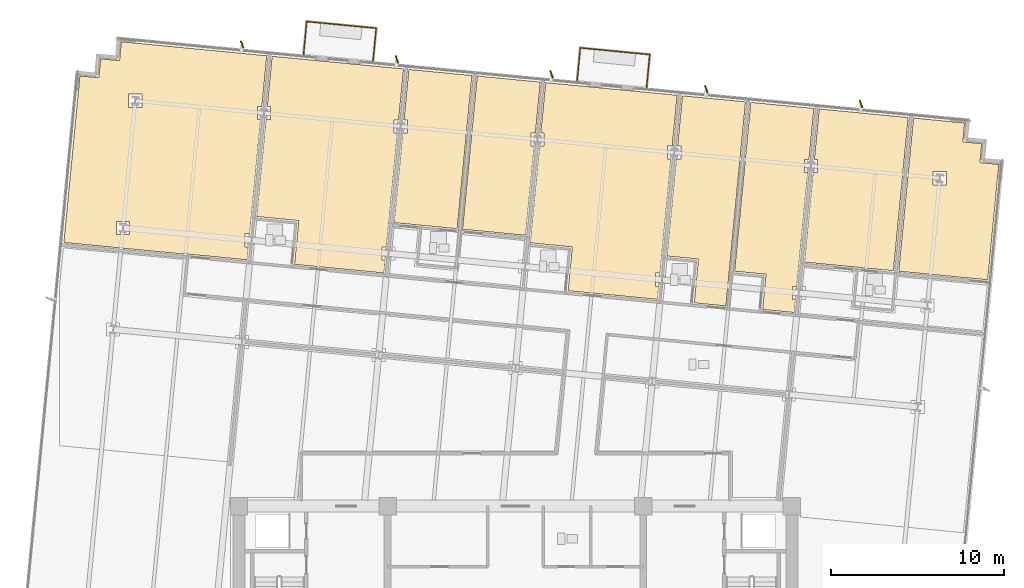
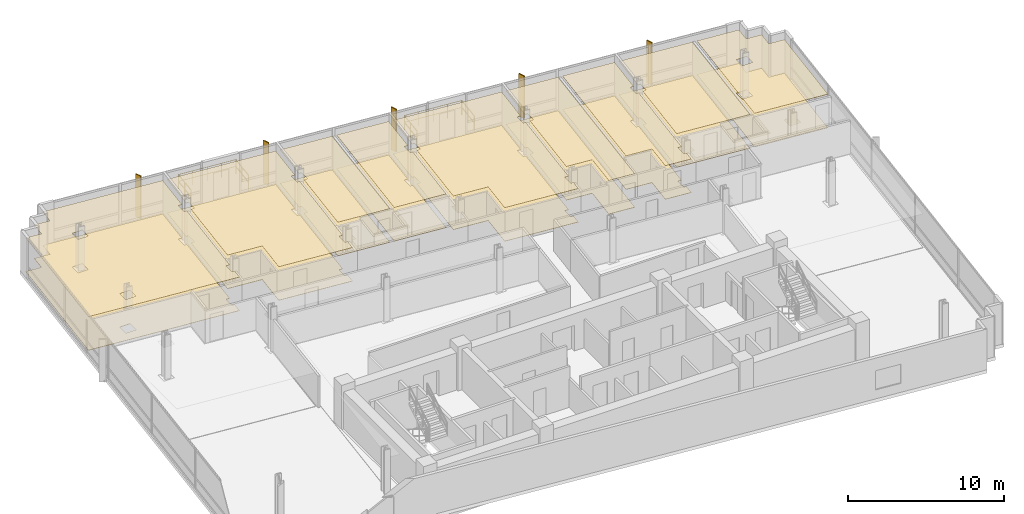
# One storey, part 16 of 17: 18 coverings, 6 railings, 5 shading devices.
"""IFC4 building model written with IfcOpenShell, lengths in metres."""

from ifc_helpers import new_model, si_unit, direction, frame, origin, origin_2d, place, context, subcontext, project, spatial, polyline, rectangle, circle, outline, extrude, material, layer, layer_set, type_object, element, save


model = new_model("IFC4")

# Units and contexts
model_context = context("Model", 3, precision=1e-05, world=origin(), true_north=direction((0.0, 1.0)))
body_context = subcontext(model_context, "Body", "Model", "MODEL_VIEW")
ifc_project = project(units=[si_unit("LENGTHUNIT", "METRE"), si_unit("AREAUNIT", "SQUARE_METRE"), si_unit("VOLUMEUNIT", "CUBIC_METRE"), si_unit("PLANEANGLEUNIT", "RADIAN"), si_unit("MASSUNIT", "GRAM", prefix="KILO")], contexts=[model_context])

# Site, building, storey
site_placement = place(None, origin())
site = spatial("IfcSite", under=ifc_project, at=site_placement, CompositionType="ELEMENT")
building_placement = place(site_placement, origin())
building = spatial("IfcBuilding", under=site, at=building_placement, Name="Solmavex Isthmus Hotel", CompositionType="ELEMENT")
storey_placement = place(building_placement, frame((0.0, 0.0, 142.800048828125)))
storey = spatial("IfcBuildingStorey", under=building, at=storey_placement, Name="L38", CompositionType="ELEMENT", Elevation=142.800048828125)

# Coverings
ifc_material_1 = material(Name="Gypsum plasterboard lining", Category="gypsum")
ifc_layer_1 = layer(ifc_material_1, 0.030029296875)
ifc_layer_set_1 = layer_set([ifc_layer_1], Name="Gypsum plasterboard lining")
covering_type_1 = type_object("IfcCoveringType", Name="COV-CEIL-GYP", PredefinedType="CEILING", material=ifc_layer_set_1)
covering_1_placement = place(storey_placement, frame((0.0, 0.0, 2.619873046875)))
element("IfcCovering", 1, at=covering_1_placement, inside=storey, type_object=covering_type_1, Name="Suspended Acoustic Ceiling L38-RM01", PredefinedType="CEILING", context=body_context, shape_type="SweptSolid", body=[
    extrude(outline(polyline([(-19.121337890625, 12.088623046875), (-19.119384765625, 12.1083984375), (-15.535888671875, 11.763427734375), (-15.463623046875, 12.51611328125), (-15.651123046875, 12.51611328125), (-15.651123046875, 13.276123046875), (-15.390380859375, 13.276123046875), (-14.755126953125, 19.874267578125), (-14.942626953125, 19.874267578125), (-14.942626953125, 20.63427734375), (-14.681884765625, 20.63427734375), (-14.3984375, 23.578857421875), (-21.99609375, 24.310302734375), (-22.8173828125, 24.389404296875), (-22.9228515625, 23.29443359375), (-24.017822265625, 23.39990234375), (-24.123291015625, 22.304931640625), (-25.218017578125, 22.410400390625), (-25.297119140625, 21.589111328125), (-26.14697265625, 12.764892578125), (-19.121337890625, 12.088623046875)]), holes=[polyline([(-22.396240234375, 20.591796875), (-22.396240234375, 21.351806640625), (-21.63623046875, 21.351806640625), (-21.63623046875, 20.591796875), (-22.396240234375, 20.591796875)]), polyline([(-23.104736328125, 13.23388671875), (-23.104736328125, 13.993896484375), (-22.3447265625, 13.993896484375), (-22.3447265625, 13.23388671875), (-23.104736328125, 13.23388671875)])]), origin(), (0.0, 0.0, 1.0), 0.030029296875),
])
covering_2_placement = place(storey_placement, frame((0.0, 0.0, 2.619873046875)))
element("IfcCovering", 2, at=covering_2_placement, inside=storey, type_object=covering_type_1, Name="Suspended Acoustic Ceiling L38-RM02", PredefinedType="CEILING", context=body_context, shape_type="SweptSolid", body=[
    extrude(outline(polyline([(-14.370361328125, 20.63427734375), (-14.1826171875, 20.63427734375), (-14.1826171875, 19.874267578125), (-14.443603515625, 19.874267578125), (-14.98291015625, 14.27197265625), (-12.544189453125, 14.037109375), (-12.788818359375, 11.498779296875), (-7.61669921875, 11.000732421875), (-7.544189453125, 11.753662109375), (-7.73193359375, 11.753662109375), (-7.73193359375, 12.513671875), (-7.470947265625, 12.513671875), (-6.835693359375, 19.111572265625), (-7.0234375, 19.111572265625), (-7.0234375, 19.87158203125), (-6.762451171875, 19.87158203125), (-6.47900390625, 22.816162109375), (-14.08984375, 23.549072265625), (-14.370361328125, 20.63427734375)])), origin(), (0.0, 0.0, 1.0), 0.030029296875),
])
covering_3_placement = place(storey_placement, frame((0.0, 0.0, 2.619873046875)))
element("IfcCovering", 3, at=covering_3_placement, inside=storey, type_object=covering_type_1, Name="Suspended Acoustic Ceiling L38-TB03", PredefinedType="CEILING", context=body_context, shape_type="SweptSolid", body=[
    extrude(outline(polyline([(-6.450927734375, 19.87158203125), (-6.263427734375, 19.87158203125), (-6.263427734375, 19.111572265625), (-6.524169921875, 19.111572265625), (-7.0146484375, 14.017822265625), (-7.024658203125, 13.91552734375), (-3.37353515625, 13.56396484375), (-2.519287109375, 22.434814453125), (-6.17041015625, 22.786376953125), (-6.450927734375, 19.87158203125)])), origin(), (0.0, 0.0, 1.0), 0.030029296875),
])
covering_4_placement = place(storey_placement, frame((0.0, 0.0, 2.619873046875)))
element("IfcCovering", 4, at=covering_4_placement, inside=storey, type_object=covering_type_1, Name="Suspended Acoustic Ceiling L38-TL03", PredefinedType="CEILING", context=body_context, shape_type="SweptSolid", body=[
    extrude(outline(polyline([(1.083740234375, 18.34912109375), (0.89599609375, 18.34912109375), (0.89599609375, 19.109130859375), (1.156982421875, 19.109130859375), (1.4404296875, 22.0537109375), (-2.210693359375, 22.4052734375), (-3.06494140625, 13.5341796875), (0.586181640625, 13.1826171875), (1.083740234375, 18.34912109375)])), origin(), (0.0, 0.0, 1.0), 0.030029296875),
])
covering_5_placement = place(storey_placement, frame((0.0, 0.0, 2.619873046875)))
element("IfcCovering", 5, at=covering_5_placement, inside=storey, type_object=covering_type_1, Name="Suspended Acoustic Ceiling L38-RM04", PredefinedType="CEILING", context=body_context, shape_type="SweptSolid", body=[
    extrude(outline(polyline([(1.46826171875, 19.109130859375), (1.656005859375, 19.109130859375), (1.656005859375, 18.34912109375), (1.395263671875, 18.34912109375), (0.855712890625, 12.746826171875), (3.29443359375, 12.511962890625), (3.050048828125, 9.973876953125), (4.7333984375, 9.811767578125), (5.606201171875, 9.7275390625), (8.22216796875, 9.475830078125), (8.294677734375, 10.228515625), (8.10693359375, 10.228515625), (8.10693359375, 10.988525390625), (8.36767578125, 10.988525390625), (9.003173828125, 17.586669921875), (8.8154296875, 17.586669921875), (8.8154296875, 18.346435546875), (9.076171875, 18.346435546875), (9.35986328125, 21.291015625), (1.7490234375, 22.02392578125), (1.46826171875, 19.109130859375)])), origin(), (0.0, 0.0, 1.0), 0.030029296875),
])
covering_6_placement = place(storey_placement, frame((0.0, 0.0, 2.619873046875)))
element("IfcCovering", 6, at=covering_6_placement, inside=storey, type_object=covering_type_1, Name="Suspended Acoustic Ceiling L38-RM05", PredefinedType="CEILING", context=body_context, shape_type="SweptSolid", body=[
    extrude(outline(polyline([(9.3876953125, 18.346435546875), (9.575439453125, 18.346435546875), (9.575439453125, 17.586669921875), (9.314453125, 17.586669921875), (8.775146484375, 11.984375), (10.596435546875, 11.808837890625), (10.35205078125, 9.270751953125), (12.181884765625, 9.094482421875), (13.319580078125, 20.909912109375), (9.66845703125, 21.261474609375), (9.3876953125, 18.346435546875)])), origin(), (0.0, 0.0, 1.0), 0.030029296875),
])
covering_7_placement = place(storey_placement, frame((0.0, 0.0, 2.619873046875)))
element("IfcCovering", 7, at=covering_7_placement, inside=storey, type_object=covering_type_1, Name="Suspended Acoustic Ceiling L38-RM06", PredefinedType="CEILING", context=body_context, shape_type="SweptSolid", body=[
    extrude(outline(polyline([(16.92236328125, 16.823974609375), (16.73486328125, 16.823974609375), (16.73486328125, 17.583984375), (16.99560546875, 17.583984375), (17.279052734375, 20.528564453125), (13.628173828125, 20.880126953125), (12.686767578125, 11.105224609375), (14.50830078125, 10.929931640625), (14.311767578125, 8.889404296875), (16.1416015625, 8.713134765625), (16.2138671875, 9.466064453125), (16.0263671875, 9.466064453125), (16.0263671875, 10.22607421875), (16.287109375, 10.22607421875), (16.92236328125, 16.823974609375)])), origin(), (0.0, 0.0, 1.0), 0.030029296875),
])
covering_8_placement = place(storey_placement, frame((0.0, 0.0, 2.619873046875)))
element("IfcCovering", 8, at=covering_8_placement, inside=storey, type_object=covering_type_1, Name="Suspended Acoustic Ceiling L38-TB07", PredefinedType="CEILING", context=body_context, shape_type="SweptSolid", body=[
    extrude(outline(polyline([(17.30712890625, 17.583984375), (17.494873046875, 17.583984375), (17.494873046875, 16.823974609375), (17.23388671875, 16.823974609375), (17.139404296875, 15.841552734375), (16.733642578125, 11.6279296875), (21.8837890625, 11.132080078125), (22.738037109375, 20.0029296875), (17.587646484375, 20.498779296875), (17.30712890625, 17.583984375)])), origin(), (0.0, 0.0, 1.0), 0.030029296875),
])
covering_9_placement = place(storey_placement, frame((0.0, 0.0, 2.619873046875)))
element("IfcCovering", 9, at=covering_9_placement, inside=storey, type_object=covering_type_1, Name="Suspended Acoustic Ceiling L38-TL07", PredefinedType="CEILING", context=body_context, shape_type="SweptSolid", body=[
    extrude(outline(polyline([(26.0068359375, 19.688232421875), (25.185546875, 19.767333984375), (23.04638671875, 19.97314453125), (22.1923828125, 11.102294921875), (27.342529296875, 10.6064453125), (27.90673828125, 16.46630859375), (27.98583984375, 17.287353515625), (26.890869140625, 17.392822265625), (26.996337890625, 18.48779296875), (25.9013671875, 18.59326171875), (26.0068359375, 19.688232421875)]), holes=[polyline([(24.188232421875, 16.106201171875), (24.188232421875, 16.8662109375), (24.9482421875, 16.8662109375), (24.9482421875, 16.106201171875), (24.188232421875, 16.106201171875)])]), origin(), (0.0, 0.0, 1.0), 0.030029296875),
])
ifc_material_2 = material(Name="Travertine natural stone", Category="masonry")
ifc_layer_2 = layer(ifc_material_2, 0.02490234375)
ifc_layer_set_2 = layer_set([ifc_layer_2], Name="Travertine natural stone")
covering_type_2 = type_object("IfcCoveringType", Name="COV-FLOR-STN", PredefinedType="FLOORING", material=ifc_layer_set_2)
covering_10_placement = place(storey_placement, origin())
element("IfcCovering", 10, at=covering_10_placement, inside=storey, type_object=covering_type_2, Name="Stone and Timber Floor Finish L38-RM01", PredefinedType="FLOORING", context=body_context, shape_type="SweptSolid", body=[
    extrude(outline(polyline([(-19.121337890625, 12.088623046875), (-19.119384765625, 12.1083984375), (-15.535888671875, 11.763427734375), (-15.463623046875, 12.51611328125), (-15.651123046875, 12.51611328125), (-15.651123046875, 13.276123046875), (-15.390380859375, 13.276123046875), (-14.755126953125, 19.874267578125), (-14.942626953125, 19.874267578125), (-14.942626953125, 20.63427734375), (-14.681884765625, 20.63427734375), (-14.3984375, 23.578857421875), (-21.99609375, 24.310302734375), (-22.8173828125, 24.389404296875), (-22.9228515625, 23.29443359375), (-24.017822265625, 23.39990234375), (-24.123291015625, 22.304931640625), (-25.218017578125, 22.410400390625), (-25.297119140625, 21.589111328125), (-26.14697265625, 12.764892578125), (-19.121337890625, 12.088623046875)]), holes=[polyline([(-22.396240234375, 20.591796875), (-22.396240234375, 21.351806640625), (-21.63623046875, 21.351806640625), (-21.63623046875, 20.591796875), (-22.396240234375, 20.591796875)]), polyline([(-23.104736328125, 13.23388671875), (-23.104736328125, 13.993896484375), (-22.3447265625, 13.993896484375), (-22.3447265625, 13.23388671875), (-23.104736328125, 13.23388671875)])]), origin(), (0.0, 0.0, 1.0), 0.02490234375),
])
covering_11_placement = place(storey_placement, origin())
element("IfcCovering", 11, at=covering_11_placement, inside=storey, type_object=covering_type_2, Name="Stone and Timber Floor Finish L38-RM02", PredefinedType="FLOORING", context=body_context, shape_type="SweptSolid", body=[
    extrude(outline(polyline([(-14.370361328125, 20.63427734375), (-14.1826171875, 20.63427734375), (-14.1826171875, 19.874267578125), (-14.443603515625, 19.874267578125), (-14.98291015625, 14.27197265625), (-12.544189453125, 14.037109375), (-12.788818359375, 11.498779296875), (-7.61669921875, 11.000732421875), (-7.544189453125, 11.753662109375), (-7.73193359375, 11.753662109375), (-7.73193359375, 12.513671875), (-7.470947265625, 12.513671875), (-6.835693359375, 19.111572265625), (-7.0234375, 19.111572265625), (-7.0234375, 19.87158203125), (-6.762451171875, 19.87158203125), (-6.47900390625, 22.816162109375), (-14.08984375, 23.549072265625), (-14.370361328125, 20.63427734375)])), origin(), (0.0, 0.0, 1.0), 0.02490234375),
])
covering_12_placement = place(storey_placement, origin())
element("IfcCovering", 12, at=covering_12_placement, inside=storey, type_object=covering_type_2, Name="Stone and Timber Floor Finish L38-TB03", PredefinedType="FLOORING", context=body_context, shape_type="SweptSolid", body=[
    extrude(outline(polyline([(-6.450927734375, 19.87158203125), (-6.263427734375, 19.87158203125), (-6.263427734375, 19.111572265625), (-6.524169921875, 19.111572265625), (-7.0146484375, 14.017822265625), (-7.024658203125, 13.91552734375), (-3.37353515625, 13.56396484375), (-2.519287109375, 22.434814453125), (-6.17041015625, 22.786376953125), (-6.450927734375, 19.87158203125)])), origin(), (0.0, 0.0, 1.0), 0.02490234375),
])
covering_13_placement = place(storey_placement, origin())
element("IfcCovering", 13, at=covering_13_placement, inside=storey, type_object=covering_type_2, Name="Stone and Timber Floor Finish L38-TL03", PredefinedType="FLOORING", context=body_context, shape_type="SweptSolid", body=[
    extrude(outline(polyline([(1.083740234375, 18.34912109375), (0.89599609375, 18.34912109375), (0.89599609375, 19.109130859375), (1.156982421875, 19.109130859375), (1.4404296875, 22.0537109375), (-2.210693359375, 22.4052734375), (-3.06494140625, 13.5341796875), (0.586181640625, 13.1826171875), (1.083740234375, 18.34912109375)])), origin(), (0.0, 0.0, 1.0), 0.02490234375),
])
covering_14_placement = place(storey_placement, origin())
element("IfcCovering", 14, at=covering_14_placement, inside=storey, type_object=covering_type_2, Name="Stone and Timber Floor Finish L38-RM04", PredefinedType="FLOORING", context=body_context, shape_type="SweptSolid", body=[
    extrude(outline(polyline([(1.46826171875, 19.109130859375), (1.656005859375, 19.109130859375), (1.656005859375, 18.34912109375), (1.395263671875, 18.34912109375), (0.855712890625, 12.746826171875), (3.29443359375, 12.511962890625), (3.050048828125, 9.973876953125), (4.7333984375, 9.811767578125), (5.606201171875, 9.7275390625), (8.22216796875, 9.475830078125), (8.294677734375, 10.228515625), (8.10693359375, 10.228515625), (8.10693359375, 10.988525390625), (8.36767578125, 10.988525390625), (9.003173828125, 17.586669921875), (8.8154296875, 17.586669921875), (8.8154296875, 18.346435546875), (9.076171875, 18.346435546875), (9.35986328125, 21.291015625), (1.7490234375, 22.02392578125), (1.46826171875, 19.109130859375)])), origin(), (0.0, 0.0, 1.0), 0.02490234375),
])
covering_15_placement = place(storey_placement, origin())
element("IfcCovering", 15, at=covering_15_placement, inside=storey, type_object=covering_type_2, Name="Stone and Timber Floor Finish L38-RM05", PredefinedType="FLOORING", context=body_context, shape_type="SweptSolid", body=[
    extrude(outline(polyline([(9.3876953125, 18.346435546875), (9.575439453125, 18.346435546875), (9.575439453125, 17.586669921875), (9.314453125, 17.586669921875), (8.775146484375, 11.984375), (10.596435546875, 11.808837890625), (10.35205078125, 9.270751953125), (12.181884765625, 9.094482421875), (13.319580078125, 20.909912109375), (9.66845703125, 21.261474609375), (9.3876953125, 18.346435546875)])), origin(), (0.0, 0.0, 1.0), 0.02490234375),
])
covering_16_placement = place(storey_placement, origin())
element("IfcCovering", 16, at=covering_16_placement, inside=storey, type_object=covering_type_2, Name="Stone and Timber Floor Finish L38-RM06", PredefinedType="FLOORING", context=body_context, shape_type="SweptSolid", body=[
    extrude(outline(polyline([(16.92236328125, 16.823974609375), (16.73486328125, 16.823974609375), (16.73486328125, 17.583984375), (16.99560546875, 17.583984375), (17.279052734375, 20.528564453125), (13.628173828125, 20.880126953125), (12.686767578125, 11.105224609375), (14.50830078125, 10.929931640625), (14.311767578125, 8.889404296875), (16.1416015625, 8.713134765625), (16.2138671875, 9.466064453125), (16.0263671875, 9.466064453125), (16.0263671875, 10.22607421875), (16.287109375, 10.22607421875), (16.92236328125, 16.823974609375)])), origin(), (0.0, 0.0, 1.0), 0.02490234375),
])
covering_17_placement = place(storey_placement, origin())
element("IfcCovering", 17, at=covering_17_placement, inside=storey, type_object=covering_type_2, Name="Stone and Timber Floor Finish L38-TB07", PredefinedType="FLOORING", context=body_context, shape_type="SweptSolid", body=[
    extrude(outline(polyline([(17.30712890625, 17.583984375), (17.494873046875, 17.583984375), (17.494873046875, 16.823974609375), (17.23388671875, 16.823974609375), (17.139404296875, 15.841552734375), (16.733642578125, 11.6279296875), (21.8837890625, 11.132080078125), (22.738037109375, 20.0029296875), (17.587646484375, 20.498779296875), (17.30712890625, 17.583984375)])), origin(), (0.0, 0.0, 1.0), 0.02490234375),
])
covering_18_placement = place(storey_placement, origin())
element("IfcCovering", 18, at=covering_18_placement, inside=storey, type_object=covering_type_2, Name="Stone and Timber Floor Finish L38-TL07", PredefinedType="FLOORING", context=body_context, shape_type="SweptSolid", body=[
    extrude(outline(polyline([(26.0068359375, 19.688232421875), (25.185546875, 19.767333984375), (23.04638671875, 19.97314453125), (22.1923828125, 11.102294921875), (27.342529296875, 10.6064453125), (27.90673828125, 16.46630859375), (27.98583984375, 17.287353515625), (26.890869140625, 17.392822265625), (26.996337890625, 18.48779296875), (25.9013671875, 18.59326171875), (26.0068359375, 19.688232421875)]), holes=[polyline([(24.188232421875, 16.106201171875), (24.188232421875, 16.8662109375), (24.9482421875, 16.8662109375), (24.9482421875, 16.106201171875), (24.188232421875, 16.106201171875)])]), origin(), (0.0, 0.0, 1.0), 0.02490234375),
])

# Railings
ifc_material_3 = material(Name="Clear low-E laminated glass", Category="glass")
ifc_layer_3 = layer(ifc_material_3, 0.070068359375)
ifc_layer_set_3 = layer_set([ifc_layer_3], Name="Clear low-E laminated glass")
railing_type = type_object("IfcRailingType", Name="RAIL-GUARD-1100", PredefinedType="BALUSTRADE", material=ifc_layer_set_3)
railing_1_placement = place(storey_placement, frame((-12.268798828125, 23.64990234375, 0.0)))
element("IfcRailing", 19, at=railing_1_placement, inside=storey, type_object=railing_type, Name="Guardrail Balustrade L38-BAL1-01", PredefinedType="BALUSTRADE", context=body_context, shape_type="SweptSolid", body=[
    extrude(circle(Radius=0.02392578125, at=origin_2d()), frame((0.0, 0.0, 1.09619140625), z_axis=(0.095877165628, 0.995393173129, 0.0), x_axis=(-0.995393173129, 0.095877165628, 0.0)), (0.0, 0.0, 1.0), 1.919921875),
    extrude(circle(Radius=0.02392578125, at=origin_2d()), frame((0.0, 0.0, 0.56005859375), z_axis=(0.095877165628, 0.995393173129, 0.0), x_axis=(-0.995393173129, 0.095877165628, 0.0)), (0.0, 0.0, 1.0), 1.919921875),
    extrude(circle(Radius=0.02099609375, at=origin_2d()), origin(), (0.0, 0.0, 1.0), 1.072021484375),
    extrude(circle(Radius=0.02099609375, at=origin_2d()), frame((0.092041015625, 0.95556640625, 0.0)), (0.0, 0.0, 1.0), 1.072021484375),
    extrude(circle(Radius=0.02099609375, at=origin_2d()), frame((0.18408203125, 1.9111328125, 0.0)), (0.0, 0.0, 1.0), 1.072021484375),
])
railing_2_placement = place(storey_placement, frame((-12.084716796875, 25.56103515625, 0.0)))
element("IfcRailing", 20, at=railing_2_placement, inside=storey, type_object=railing_type, Name="Guardrail Balustrade L38-BAL1-02", PredefinedType="BALUSTRADE", context=body_context, shape_type="SweptSolid", body=[
    extrude(circle(Radius=0.02392578125, at=origin_2d()), frame((0.0, 0.0, 1.09619140625), z_axis=(0.995396620385, -0.095841369593, 0.0), x_axis=(0.095841369593, 0.995396620385, 0.0)), (0.0, 0.0, 1.0), 4.0400390625),
    extrude(circle(Radius=0.02392578125, at=origin_2d()), frame((0.0, 0.0, 0.56005859375), z_axis=(0.995396620385, -0.095841369593, 0.0), x_axis=(0.095841369593, 0.995396620385, 0.0)), (0.0, 0.0, 1.0), 4.0400390625),
    extrude(circle(Radius=0.02099609375, at=origin_2d()), origin(), (0.0, 0.0, 1.0), 1.072021484375),
    extrude(circle(Radius=0.02099609375, at=origin_2d()), frame((1.00537109375, -0.0966796875, 0.0)), (0.0, 0.0, 1.0), 1.072021484375),
    extrude(circle(Radius=0.02099609375, at=origin_2d()), frame((2.0107421875, -0.193603515625, 0.0)), (0.0, 0.0, 1.0), 1.072021484375),
    extrude(circle(Radius=0.02099609375, at=origin_2d()), frame((3.01611328125, -0.29052734375, 0.0)), (0.0, 0.0, 1.0), 1.072021484375),
    extrude(circle(Radius=0.02099609375, at=origin_2d()), frame((4.021484375, -0.38720703125, 0.0)), (0.0, 0.0, 1.0), 1.072021484375),
])
railing_3_placement = place(storey_placement, frame((-8.063232421875, 25.173828125, 0.0)))
element("IfcRailing", 21, at=railing_3_placement, inside=storey, type_object=railing_type, Name="Guardrail Balustrade L38-BAL1-03", PredefinedType="BALUSTRADE", context=body_context, shape_type="SweptSolid", body=[
    extrude(circle(Radius=0.02392578125, at=origin_2d()), frame((0.0, 0.0, 1.09619140625), z_axis=(-0.095877165628, -0.995393173129, 0.0), x_axis=(0.995393173129, -0.095877165628, 0.0)), (0.0, 0.0, 1.0), 1.919921875),
    extrude(circle(Radius=0.02392578125, at=origin_2d()), frame((0.0, 0.0, 0.56005859375), z_axis=(-0.095877165628, -0.995393173129, 0.0), x_axis=(0.995393173129, -0.095877165628, 0.0)), (0.0, 0.0, 1.0), 1.919921875),
    extrude(circle(Radius=0.02099609375, at=origin_2d()), origin(), (0.0, 0.0, 1.0), 1.072021484375),
    extrude(circle(Radius=0.02099609375, at=origin_2d()), frame((-0.092041015625, -0.95556640625, 0.0)), (0.0, 0.0, 1.0), 1.072021484375),
    extrude(circle(Radius=0.02099609375, at=origin_2d()), frame((-0.18408203125, -1.9111328125, 0.0)), (0.0, 0.0, 1.0), 1.072021484375),
])
railing_4_placement = place(storey_placement, frame((3.570068359375, 22.124755859375, 0.0)))
element("IfcRailing", 22, at=railing_4_placement, inside=storey, type_object=railing_type, Name="Guardrail Balustrade L38-BAL2-01", PredefinedType="BALUSTRADE", context=body_context, shape_type="SweptSolid", body=[
    extrude(circle(Radius=0.02392578125, at=origin_2d()), frame((0.0, 0.0, 1.09619140625), z_axis=(0.095865031769, 0.995394341798, 0.0), x_axis=(-0.995394341798, 0.095865031769, 0.0)), (0.0, 0.0, 1.0), 1.920166015625),
    extrude(circle(Radius=0.02392578125, at=origin_2d()), frame((0.0, 0.0, 0.56005859375), z_axis=(0.095865031769, 0.995394341798, 0.0), x_axis=(-0.995394341798, 0.095865031769, 0.0)), (0.0, 0.0, 1.0), 1.920166015625),
    extrude(circle(Radius=0.02099609375, at=origin_2d()), origin(), (0.0, 0.0, 1.0), 1.072021484375),
    extrude(circle(Radius=0.02099609375, at=origin_2d()), frame((0.092041015625, 0.95556640625, 0.0)), (0.0, 0.0, 1.0), 1.072021484375),
    extrude(circle(Radius=0.02099609375, at=origin_2d()), frame((0.18408203125, 1.911376953125, 0.0)), (0.0, 0.0, 1.0), 1.072021484375),
])
railing_5_placement = place(storey_placement, frame((3.754150390625, 24.0361328125, 0.0)))
element("IfcRailing", 23, at=railing_5_placement, inside=storey, type_object=railing_type, Name="Guardrail Balustrade L38-BAL2-02", PredefinedType="BALUSTRADE", context=body_context, shape_type="SweptSolid", body=[
    extrude(circle(Radius=0.02392578125, at=origin_2d()), frame((0.0, 0.0, 1.09619140625), z_axis=(0.995396065255, -0.095847134934, 0.0), x_axis=(0.095847134934, 0.995396065255, 0.0)), (0.0, 0.0, 1.0), 4.039794921875),
    extrude(circle(Radius=0.02392578125, at=origin_2d()), frame((0.0, 0.0, 0.56005859375), z_axis=(0.995396065255, -0.095847134934, 0.0), x_axis=(0.095847134934, 0.995396065255, 0.0)), (0.0, 0.0, 1.0), 4.039794921875),
    extrude(circle(Radius=0.02099609375, at=origin_2d()), origin(), (0.0, 0.0, 1.0), 1.072021484375),
    extrude(circle(Radius=0.02099609375, at=origin_2d()), frame((1.00537109375, -0.0966796875, 0.0)), (0.0, 0.0, 1.0), 1.072021484375),
    extrude(circle(Radius=0.02099609375, at=origin_2d()), frame((2.0107421875, -0.193603515625, 0.0)), (0.0, 0.0, 1.0), 1.072021484375),
    extrude(circle(Radius=0.02099609375, at=origin_2d()), frame((3.015869140625, -0.29052734375, 0.0)), (0.0, 0.0, 1.0), 1.072021484375),
    extrude(circle(Radius=0.02099609375, at=origin_2d()), frame((4.021240234375, -0.38720703125, 0.0)), (0.0, 0.0, 1.0), 1.072021484375),
])
railing_6_placement = place(storey_placement, frame((7.775390625, 23.64892578125, 0.0)))
element("IfcRailing", 24, at=railing_6_placement, inside=storey, type_object=railing_type, Name="Guardrail Balustrade L38-BAL2-03", PredefinedType="BALUSTRADE", context=body_context, shape_type="SweptSolid", body=[
    extrude(circle(Radius=0.02392578125, at=origin_2d()), frame((0.0, 0.0, 1.09619140625), z_axis=(-0.095739055962, -0.995406466306, 0.0), x_axis=(0.995406466306, -0.095739055962, 0.0)), (0.0, 0.0, 1.0), 1.920166015625),
    extrude(circle(Radius=0.02392578125, at=origin_2d()), frame((0.0, 0.0, 0.56005859375), z_axis=(-0.095739055962, -0.995406466306, 0.0), x_axis=(0.995406466306, -0.095739055962, 0.0)), (0.0, 0.0, 1.0), 1.920166015625),
    extrude(circle(Radius=0.02099609375, at=origin_2d()), origin(), (0.0, 0.0, 1.0), 1.072021484375),
    extrude(circle(Radius=0.02099609375, at=origin_2d()), frame((-0.091796875, -0.95556640625, 0.0)), (0.0, 0.0, 1.0), 1.072021484375),
    extrude(circle(Radius=0.02099609375, at=origin_2d()), frame((-0.183837890625, -1.911376953125, 0.0)), (0.0, 0.0, 1.0), 1.072021484375),
])

# Shading devices
ifc_material_4 = material(Name="Aluminium alloy 6063-T6", Category="aluminium")
shading_device_type = type_object("IfcShadingDeviceType", Name="SHD-FIN-BRONZE", PredefinedType="USERDEFINED", material=ifc_material_4)
for number, where, z_axis, x_axis, name in (
    (25, (-15.8251953125, 24.2333984375, -0.14013671875), (0.0, 0.0, 1.0), (-0.350207381259, 0.936672189248, 0.0), "Anodised Aluminium Solar Fin L38-N1"),
    (26, (-6.866455078125, 23.370849609375, -0.14013671875), (0.0, 0.0, 1.0), (-0.350207381259, 0.936672189248, 0.0), "Anodised Aluminium Solar Fin L38-N2"),
    (27, (2.092041015625, 22.50830078125, -0.14013671875), (0.0, 0.0, 1.0), (-0.350207381259, 0.936672189248, 0.0), "Anodised Aluminium Solar Fin L38-N3"),
    (28, (11.050537109375, 21.645751953125, -0.14013671875), (0.0, 0.0, 1.0), (-0.350207381259, 0.936672189248, 0.0), "Anodised Aluminium Solar Fin L38-N4"),
    (29, (20.009033203125, 20.782958984375, -0.14013671875), (0.0, 0.0, 1.0), (-0.350207381259, 0.936672189248, 0.0), "Anodised Aluminium Solar Fin L38-N5"),
):
    element("IfcShadingDevice", number, at=place(storey_placement, frame(where, z_axis=z_axis, x_axis=x_axis)), inside=storey, type_object=shading_device_type, Name=name, ObjectType="SOLAR_FIN", PredefinedType="USERDEFINED", context=body_context, shape_type="SweptSolid", body=[
        extrude(rectangle(XDim=0.449951171875, YDim=0.080078125, at=origin_2d()), origin(), (0.0, 0.0, 1.0), 3.330078125),
    ])

save(model, "model.ifc")
